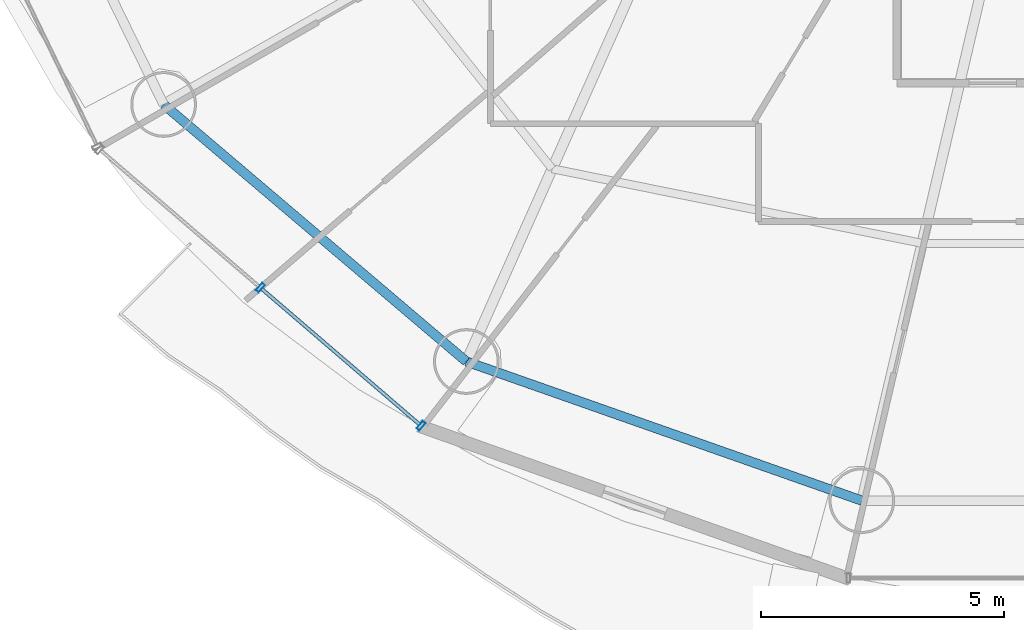
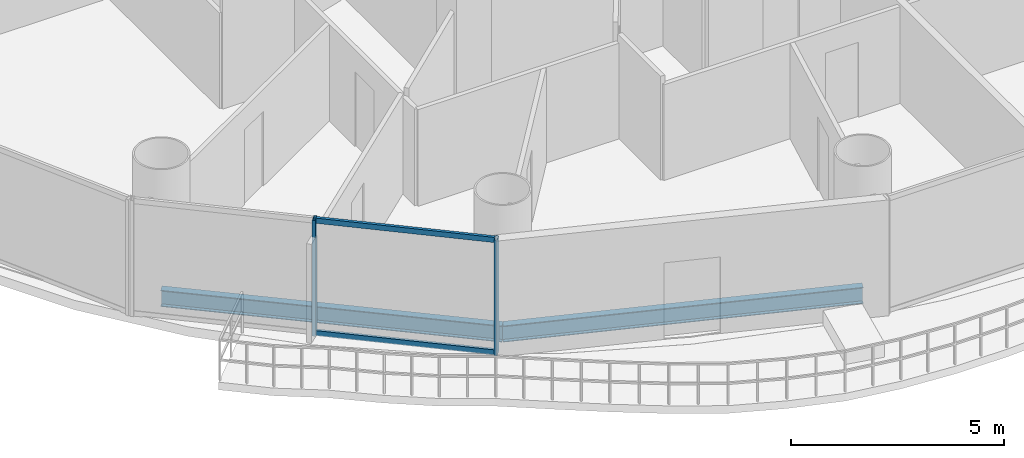
# One storey, part 2 of 27: 4 members, 2 beams, 1 element without a shape of its own.
"""IFC4 building model written with IfcOpenShell, lengths in metres."""

from ifc_helpers import new_model, si_unit, direction, frame, origin, origin_2d, place, context, subcontext, project, spatial, hollow_rectangle, i_section, extrude, source, transform, mapped, material, material_profile, profile_set, type_object, element, aggregate, save


model = new_model("IFC4")

# Units and contexts
model_context = context("Model", 3, precision=1e-05, world=origin(), true_north=direction((-0.2419218956, 0.970295726276)))
body_context = subcontext(model_context, "Body", "Model", "MODEL_VIEW")
ifc_project = project(units=[si_unit("LENGTHUNIT", "METRE"), si_unit("AREAUNIT", "SQUARE_METRE"), si_unit("VOLUMEUNIT", "CUBIC_METRE"), si_unit("PLANEANGLEUNIT", "RADIAN"), si_unit("MASSUNIT", "GRAM", prefix="KILO")], contexts=[model_context])

# Site, building, storey
site_placement = place(None, origin())
site = spatial("IfcSite", under=ifc_project, at=site_placement, CompositionType="ELEMENT")
building_placement = place(site_placement, origin())
building = spatial("IfcBuilding", under=site, at=building_placement, Name="Cobrevalo Terracotta Tower", CompositionType="ELEMENT")
storey_placement = place(building_placement, frame((0.0, 0.0, 164.199951171875)))
storey = spatial("IfcBuildingStorey", under=building, at=storey_placement, Name="L43", CompositionType="ELEMENT", Elevation=164.199951171875)

# Beams
ifc_material_1 = material(Name="Steel S355", Category="steel")
ifc_material_profile_1 = material_profile(ifc_material_1, i_section(OverallWidth=0.194091796875, OverallDepth=0.468994140625, WebThickness=0.011474609375, FlangeThickness=0.0205078125, at=origin_2d()), Name="W 460x106")
ifc_profile_set_1 = profile_set([ifc_material_profile_1], Name="Steel S355")
beam_type = type_object("IfcBeamType", Name="Structural Spandrel W 460x106 (Steel S355)", PredefinedType="SPANDREL", material=ifc_profile_set_1)
beam_1_placement = place(storey_placement, frame((19.250244140625, 16.160888671875, -0.50439453125), z_axis=(0.762240337798, -0.647294112003, 0.0), x_axis=(0.647294112003, 0.762240337798, 0.0)))
element("IfcBeam", 1, at=beam_1_placement, inside=storey, type_object=beam_type, Name="L43 perimeter ring spandrel 10", PredefinedType="SPANDREL", context=body_context, shape_type="SweptSolid", body=[
    extrude(i_section(OverallWidth=0.194091796875, OverallDepth=0.468994140625, WebThickness=0.011474609375, FlangeThickness=0.0205078125, at=origin_2d()), origin(), (0.0, 0.0, 1.0), 8.162353515625),
])
beam_2_placement = place(storey_placement, frame((25.471923828125, 10.87744140625, -0.50439453125), z_axis=(0.943341298492, -0.331824041565, 0.0), x_axis=(0.331824041565, 0.943341298492, 0.0)))
element("IfcBeam", 2, at=beam_2_placement, inside=storey, type_object=beam_type, Name="L43 perimeter ring spandrel 11", PredefinedType="SPANDREL", context=body_context, shape_type="SweptSolid", body=[
    extrude(i_section(OverallWidth=0.194091796875, OverallDepth=0.468994140625, WebThickness=0.011474609375, FlangeThickness=0.0205078125, at=origin_2d()), origin(), (0.0, 0.0, 1.0), 8.6171875),
])

# Curtain wall, members
ifc_material_2 = material(Name="Anodized aluminium", Category="aluminium")
curtain_wall_type = type_object("IfcCurtainWallType", Name="Mid-tower high-wind unitised curtain wall CW-U2", PredefinedType="NOTDEFINED", material=ifc_material_2)
curtain_wall_placement = place(storey_placement, origin())
curtain_wall = element("IfcCurtainWall", 3, at=curtain_wall_placement, inside=storey, type_object=curtain_wall_type, Name="L43 curtain wall CW-L43-S10", PredefinedType="NOTDEFINED")
ifc_material_profile_2 = material_profile(ifc_material_2, hollow_rectangle(XDim=0.074951171875, YDim=0.199951171875, WallThickness=0.0048828125, at=origin_2d()), Name="CWM 75x200")
ifc_profile_set_2 = profile_set([ifc_material_profile_2], Name="Anodized aluminium")
member_type_1 = type_object("IfcMemberType", Name="Lower/mid tower unitised mullion 75x200", PredefinedType="MULLION", material=ifc_profile_set_2)
shared_shape_1 = source(origin(), body_context, "Body", "SweptSolid", [
    extrude(hollow_rectangle(XDim=0.074951171875, YDim=0.199951171875, WallThickness=0.0048828125, at=origin_2d()), origin(), (0.0, 0.0, 1.0), 3.330078125),
])
member_1_placement = place(storey_placement, frame((21.237548828125, 12.3955078125, 0.0), z_axis=(0.0, 0.0, 1.0), x_axis=(0.758441546142, -0.65174106905, 0.0)))
member_1 = element("IfcMember", 4, at=member_1_placement, type_object=member_type_1, Name="CW-L43-S10 vertical mullion 02", PredefinedType="MULLION", context=body_context, shape_type="MappedRepresentation", body=[
    mapped(shared_shape_1, transform((0.0, 0.0, 0.0), scale=1.0)),
])
member_2_placement = place(storey_placement, frame((24.54150390625, 9.556396484375, 0.0), z_axis=(0.0, 0.0, 1.0), x_axis=(0.758441546142, -0.65174106905, 0.0)))
member_2 = element("IfcMember", 5, at=member_2_placement, type_object=member_type_1, Name="CW-L43-S10 vertical mullion 03", PredefinedType="MULLION", context=body_context, shape_type="MappedRepresentation", body=[
    mapped(shared_shape_1, transform((0.0, 0.0, 0.0), scale=1.0)),
])
ifc_material_profile_3 = material_profile(ifc_material_2, hollow_rectangle(XDim=0.074951171875, YDim=0.14990234375, WallThickness=0.00439453125, at=origin_2d()), Name="CWT 75x150")
ifc_profile_set_3 = profile_set([ifc_material_profile_3], Name="Anodized aluminium")
member_type_2 = type_object("IfcMemberType", Name="Tower unitised aluminium transom 75x150", PredefinedType="USERDEFINED", material=ifc_profile_set_3)
shared_shape_2 = source(origin(), body_context, "Body", "SweptSolid", [
    extrude(hollow_rectangle(XDim=0.074951171875, YDim=0.14990234375, WallThickness=0.00439453125, at=origin_2d()), origin(), (0.0, 0.0, 1.0), 4.276123046875),
])
member_3_placement = place(storey_placement, frame((21.26806640625, 12.36962890625, 0.050048828125), z_axis=(0.758417719247, -0.651768795764, 0.0), x_axis=(0.651768795764, 0.758417719247, 0.0)))
member_3 = element("IfcMember", 6, at=member_3_placement, type_object=member_type_2, Name="CW-L43-S10 transom B02-T1", ObjectType="TRANSOM", PredefinedType="USERDEFINED", context=body_context, shape_type="MappedRepresentation", body=[
    mapped(shared_shape_2, transform((0.0, 0.0, 0.0), scale=1.0)),
])
member_4_placement = place(storey_placement, frame((21.26806640625, 12.36962890625, 3.280029296875), z_axis=(0.758417719247, -0.651768795764, 0.0), x_axis=(0.651768795764, 0.758417719247, 0.0)))
member_4 = element("IfcMember", 7, at=member_4_placement, type_object=member_type_2, Name="CW-L43-S10 transom B02-T2", ObjectType="TRANSOM", PredefinedType="USERDEFINED", context=body_context, shape_type="MappedRepresentation", body=[
    mapped(shared_shape_2, transform((0.0, 0.0, 0.0), scale=1.0)),
])
aggregate(curtain_wall, [member_1, member_2, member_3, member_4])

save(model, "model.ifc")
